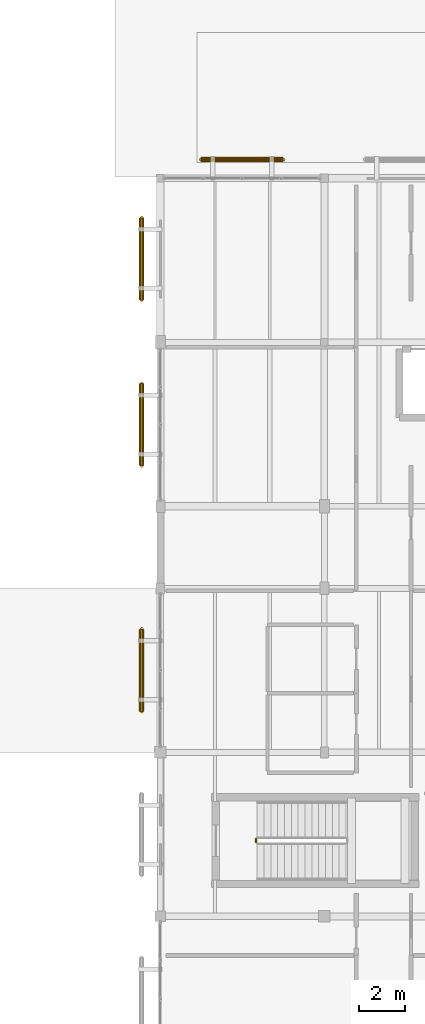
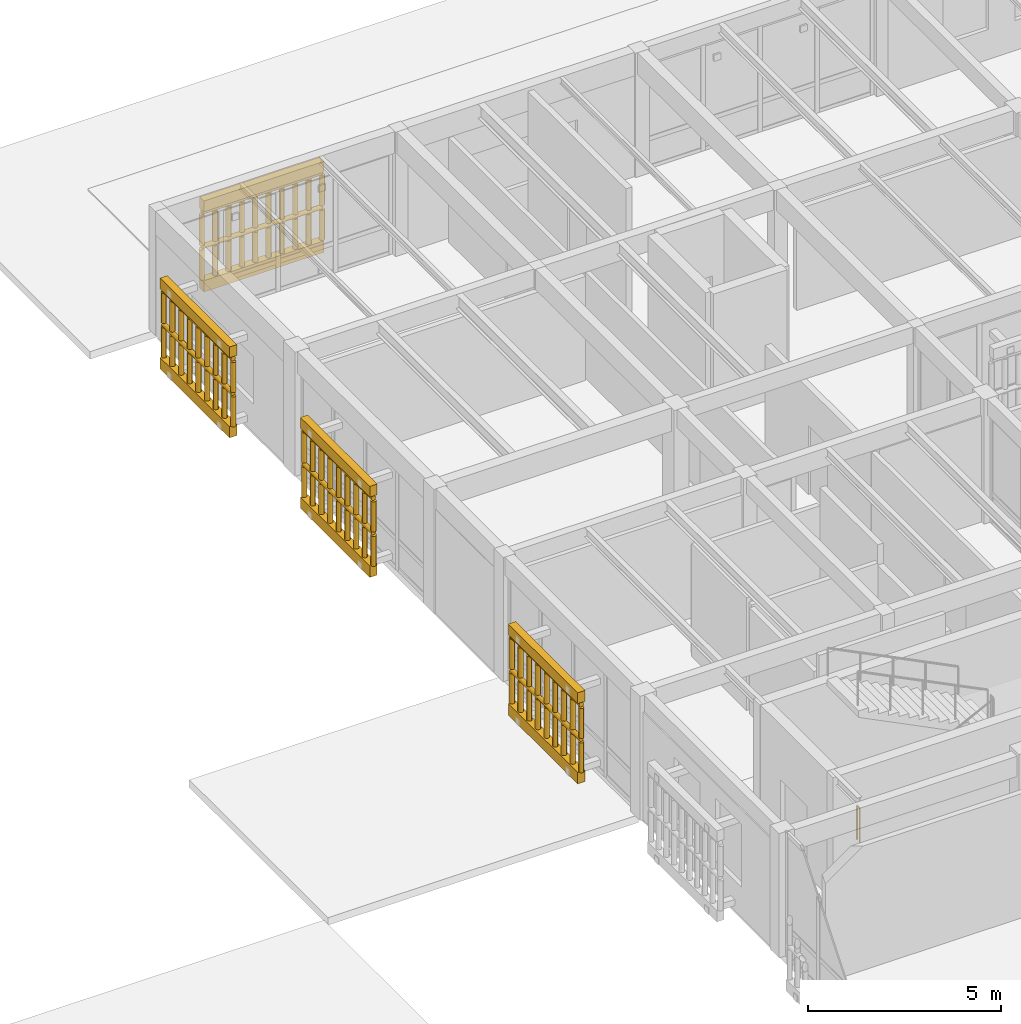
# One storey, part 105 of 112: 9 railings, 8 coverings.
"""IFC4 building model written with IfcOpenShell, lengths in metres."""

from ifc_helpers import new_model, si_unit, direction, frame, origin, origin_2d, place, context, subcontext, project, spatial, polyline, circle, outline, extrude, material, layer, layer_set, type_object, element, save


model = new_model("IFC4")

# Units and contexts
model_context = context("Model", 3, precision=1e-05, world=origin(), true_north=direction((0.0, 1.0)))
body_context = subcontext(model_context, "Body", "Model", "MODEL_VIEW")
ifc_project = project(units=[si_unit("LENGTHUNIT", "METRE"), si_unit("AREAUNIT", "SQUARE_METRE"), si_unit("VOLUMEUNIT", "CUBIC_METRE"), si_unit("PLANEANGLEUNIT", "RADIAN"), si_unit("MASSUNIT", "GRAM", prefix="KILO")], contexts=[model_context])

# Site, building, storey
site_placement = place(None, origin())
site = spatial("IfcSite", under=ifc_project, at=site_placement, CompositionType="ELEMENT")
building_placement = place(site_placement, origin())
building = spatial("IfcBuilding", under=site, at=building_placement, Name="Mazaris Harbour Polytechnic", CompositionType="ELEMENT")
storey_placement = place(building_placement, frame((0.0, 0.0, 13.800048828125)))
storey = spatial("IfcBuildingStorey", under=building, at=storey_placement, Name="L03", CompositionType="ELEMENT", Elevation=13.800048828125)

# Railings
ifc_material_1 = material(Name="Perforated Earth-Coloured Terracotta Block", Category="masonry")
railing_type_1 = type_object("IfcRailingType", Name="Perforated Earth-Block Claustra Lattice 1040", PredefinedType="BALUSTRADE", material=ifc_material_1)
for number, where, name in (
    (1, (124.18994140625, 101.6201171875, 0.52001953125), "V5 L03 Lower Perforated Terracotta Block Screen 452"),
    (2, (124.18994140625, 101.6201171875, 1.60986328125), "V5 L03 Upper Perforated Terracotta Block Screen 452"),
):
    element("IfcRailing", number, at=place(storey_placement, frame(where)), inside=storey, type_object=railing_type_1, Name=name, PredefinedType="BALUSTRADE", context=body_context, shape_type="SweptSolid", body=[
        extrude(circle(Radius=0.06982421875, at=origin_2d()), frame((0.0, 0.0, 1.02001953125), z_axis=(1.0, 0.0, 0.0), x_axis=(0.0, 1.0, 0.0)), (0.0, 0.0, 1.0), 3.60009765625),
        extrude(circle(Radius=0.074951171875, at=origin_2d()), origin(), (0.0, 0.0, 1.0), 0.9501953125),
        extrude(circle(Radius=0.074951171875, at=origin_2d()), frame((0.39990234375, 0.0, 0.0)), (0.0, 0.0, 1.0), 0.9501953125),
        extrude(circle(Radius=0.074951171875, at=origin_2d()), frame((0.800048828125, 0.0, 0.0)), (0.0, 0.0, 1.0), 0.9501953125),
        extrude(circle(Radius=0.074951171875, at=origin_2d()), frame((1.199951171875, 0.0, 0.0)), (0.0, 0.0, 1.0), 0.9501953125),
        extrude(circle(Radius=0.074951171875, at=origin_2d()), frame((1.60009765625, 0.0, 0.0)), (0.0, 0.0, 1.0), 0.9501953125),
        extrude(circle(Radius=0.074951171875, at=origin_2d()), frame((2.0, 0.0, 0.0)), (0.0, 0.0, 1.0), 0.9501953125),
        extrude(circle(Radius=0.074951171875, at=origin_2d()), frame((2.400146484375, 0.0, 0.0)), (0.0, 0.0, 1.0), 0.9501953125),
        extrude(circle(Radius=0.074951171875, at=origin_2d()), frame((2.800048828125, 0.0, 0.0)), (0.0, 0.0, 1.0), 0.9501953125),
        extrude(circle(Radius=0.074951171875, at=origin_2d()), frame((3.2001953125, 0.0, 0.0)), (0.0, 0.0, 1.0), 0.9501953125),
        extrude(circle(Radius=0.074951171875, at=origin_2d()), frame((3.60009765625, 0.0, 0.0)), (0.0, 0.0, 1.0), 0.9501953125),
    ])
for number, where, name in (
    (3, (121.580078125, 77.405029296875, 0.52001953125), "V5 L03 Lower Perforated Terracotta Block Screen 463"),
    (4, (121.580078125, 77.405029296875, 1.60986328125), "V5 L03 Upper Perforated Terracotta Block Screen 463"),
    (5, (121.580078125, 88.18505859375, 0.52001953125), "V5 L03 Lower Perforated Terracotta Block Screen 464"),
    (6, (121.580078125, 88.18505859375, 1.60986328125), "V5 L03 Upper Perforated Terracotta Block Screen 464"),
    (7, (121.580078125, 95.465087890625, 0.52001953125), "V5 L03 Lower Perforated Terracotta Block Screen 465"),
    (8, (121.580078125, 95.465087890625, 1.60986328125), "V5 L03 Upper Perforated Terracotta Block Screen 465"),
):
    element("IfcRailing", number, at=place(storey_placement, frame(where)), inside=storey, type_object=railing_type_1, Name=name, PredefinedType="BALUSTRADE", context=body_context, shape_type="SweptSolid", body=[
        extrude(circle(Radius=0.06982421875, at=origin_2d()), frame((0.0, 0.0, 1.02001953125), z_axis=(0.0, 1.0, 0.0), x_axis=(-1.0, 0.0, 0.0)), (0.0, 0.0, 1.0), 3.599853515625),
        extrude(circle(Radius=0.074951171875, at=origin_2d()), origin(), (0.0, 0.0, 1.0), 0.9501953125),
        extrude(circle(Radius=0.074951171875, at=origin_2d()), frame((0.0, 0.449951171875, 0.0)), (0.0, 0.0, 1.0), 0.9501953125),
        extrude(circle(Radius=0.074951171875, at=origin_2d()), frame((0.0, 0.89990234375, 0.0)), (0.0, 0.0, 1.0), 0.9501953125),
        extrude(circle(Radius=0.074951171875, at=origin_2d()), frame((0.0, 1.349853515625, 0.0)), (0.0, 0.0, 1.0), 0.9501953125),
        extrude(circle(Radius=0.074951171875, at=origin_2d()), frame((0.0, 1.7998046875, 0.0)), (0.0, 0.0, 1.0), 0.9501953125),
        extrude(circle(Radius=0.074951171875, at=origin_2d()), frame((0.0, 2.25, 0.0)), (0.0, 0.0, 1.0), 0.9501953125),
        extrude(circle(Radius=0.074951171875, at=origin_2d()), frame((0.0, 2.699951171875, 0.0)), (0.0, 0.0, 1.0), 0.9501953125),
        extrude(circle(Radius=0.074951171875, at=origin_2d()), frame((0.0, 3.14990234375, 0.0)), (0.0, 0.0, 1.0), 0.9501953125),
        extrude(circle(Radius=0.074951171875, at=origin_2d()), frame((0.0, 3.599853515625, 0.0)), (0.0, 0.0, 1.0), 0.9501953125),
    ])
ifc_material_2 = material(Name="Steel S355", Category="steel")
railing_type_2 = type_object("IfcRailingType", Name="Stair Well Guardrail 1100", PredefinedType="GUARDRAIL", material=ifc_material_2)
railing_placement = place(storey_placement, frame((126.60009765625, 71.64990234375, 0.0)))
element("IfcRailing", 9, at=railing_placement, inside=storey, type_object=railing_type_2, Name="L03 ST09 stair guard 4", PredefinedType="GUARDRAIL", context=body_context, shape_type="SweptSolid", body=[
    extrude(circle(Radius=0.02392578125, at=origin_2d()), frame((0.0, 0.0, 1.076171875), z_axis=(0.0, 1.0, 0.0), x_axis=(-1.0, 0.0, 0.0)), (0.0, 0.0, 1.0), 0.150146484375),
    extrude(circle(Radius=0.02099609375, at=origin_2d()), origin(), (0.0, 0.0, 1.0), 1.052001953125),
    extrude(circle(Radius=0.02099609375, at=origin_2d()), frame((0.0, 0.150146484375, 0.0)), (0.0, 0.0, 1.0), 1.052001953125),
])

# Coverings
ifc_material_3 = material(Name="Perforated Earth-Coloured Terracotta Block", Category="masonry")
ifc_layer = layer(ifc_material_3, 0.219970703125, Name="Perforated Earth-Coloured Terracotta Block")
ifc_layer_set = layer_set([ifc_layer], Name="Perforated Earth-Coloured Terracotta Block")
covering_type = type_object("IfcCoveringType", Name="Terracotta Screen Course Cladding 220", PredefinedType="CLADDING", material=ifc_layer_set)
covering_1_placement = place(storey_placement, frame((0.0, 0.0, 0.159912109375)))
element("IfcCovering", 10, at=covering_1_placement, inside=storey, type_object=covering_type, Name="V5 L03 Perforated Screen Sill Course 452", PredefinedType="CLADDING", context=body_context, shape_type="SweptSolid", body=[
    extrude(outline(polyline([(124.18994140625, 101.510009765625), (127.7900390625, 101.510009765625), (127.7900390625, 101.72998046875), (124.18994140625, 101.72998046875), (124.18994140625, 101.510009765625)])), origin(), (0.0, 0.0, 1.0), 0.360107421875),
])
covering_2_placement = place(storey_placement, frame((0.0, 0.0, 2.699951171875)))
element("IfcCovering", 11, at=covering_2_placement, inside=storey, type_object=covering_type, Name="V5 L03 Perforated Screen Lintel Course 452", PredefinedType="CLADDING", context=body_context, shape_type="SweptSolid", body=[
    extrude(outline(polyline([(124.18994140625, 101.510009765625), (127.7900390625, 101.510009765625), (127.7900390625, 101.72998046875), (124.18994140625, 101.72998046875), (124.18994140625, 101.510009765625)])), origin(), (0.0, 0.0, 1.0), 0.340087890625),
])
covering_3_placement = place(storey_placement, frame((0.0, 0.0, 0.159912109375)))
element("IfcCovering", 12, at=covering_3_placement, inside=storey, type_object=covering_type, Name="V5 L03 Perforated Screen Sill Course 463", PredefinedType="CLADDING", context=body_context, shape_type="SweptSolid", body=[
    extrude(outline(polyline([(121.68994140625, 77.405029296875), (121.68994140625, 81.0048828125), (121.469970703125, 81.0048828125), (121.469970703125, 77.405029296875), (121.68994140625, 77.405029296875)])), origin(), (0.0, 0.0, 1.0), 0.360107421875),
])
covering_4_placement = place(storey_placement, frame((0.0, 0.0, 2.699951171875)))
element("IfcCovering", 13, at=covering_4_placement, inside=storey, type_object=covering_type, Name="V5 L03 Perforated Screen Lintel Course 463", PredefinedType="CLADDING", context=body_context, shape_type="SweptSolid", body=[
    extrude(outline(polyline([(121.68994140625, 77.405029296875), (121.68994140625, 81.0048828125), (121.469970703125, 81.0048828125), (121.469970703125, 77.405029296875), (121.68994140625, 77.405029296875)])), origin(), (0.0, 0.0, 1.0), 0.340087890625),
])
covering_5_placement = place(storey_placement, frame((0.0, 0.0, 0.159912109375)))
element("IfcCovering", 14, at=covering_5_placement, inside=storey, type_object=covering_type, Name="V5 L03 Perforated Screen Sill Course 464", PredefinedType="CLADDING", context=body_context, shape_type="SweptSolid", body=[
    extrude(outline(polyline([(121.68994140625, 88.18505859375), (121.68994140625, 91.784912109375), (121.469970703125, 91.784912109375), (121.469970703125, 88.18505859375), (121.68994140625, 88.18505859375)])), origin(), (0.0, 0.0, 1.0), 0.360107421875),
])
covering_6_placement = place(storey_placement, frame((0.0, 0.0, 2.699951171875)))
element("IfcCovering", 15, at=covering_6_placement, inside=storey, type_object=covering_type, Name="V5 L03 Perforated Screen Lintel Course 464", PredefinedType="CLADDING", context=body_context, shape_type="SweptSolid", body=[
    extrude(outline(polyline([(121.68994140625, 88.18505859375), (121.68994140625, 91.784912109375), (121.469970703125, 91.784912109375), (121.469970703125, 88.18505859375), (121.68994140625, 88.18505859375)])), origin(), (0.0, 0.0, 1.0), 0.340087890625),
])
covering_7_placement = place(storey_placement, frame((0.0, 0.0, 0.159912109375)))
element("IfcCovering", 16, at=covering_7_placement, inside=storey, type_object=covering_type, Name="V5 L03 Perforated Screen Sill Course 465", PredefinedType="CLADDING", context=body_context, shape_type="SweptSolid", body=[
    extrude(outline(polyline([(121.68994140625, 95.465087890625), (121.68994140625, 99.06494140625), (121.469970703125, 99.06494140625), (121.469970703125, 95.465087890625), (121.68994140625, 95.465087890625)])), origin(), (0.0, 0.0, 1.0), 0.360107421875),
])
covering_8_placement = place(storey_placement, frame((0.0, 0.0, 2.699951171875)))
element("IfcCovering", 17, at=covering_8_placement, inside=storey, type_object=covering_type, Name="V5 L03 Perforated Screen Lintel Course 465", PredefinedType="CLADDING", context=body_context, shape_type="SweptSolid", body=[
    extrude(outline(polyline([(121.68994140625, 95.465087890625), (121.68994140625, 99.06494140625), (121.469970703125, 99.06494140625), (121.469970703125, 95.465087890625), (121.68994140625, 95.465087890625)])), origin(), (0.0, 0.0, 1.0), 0.340087890625),
])

save(model, "model.ifc")
